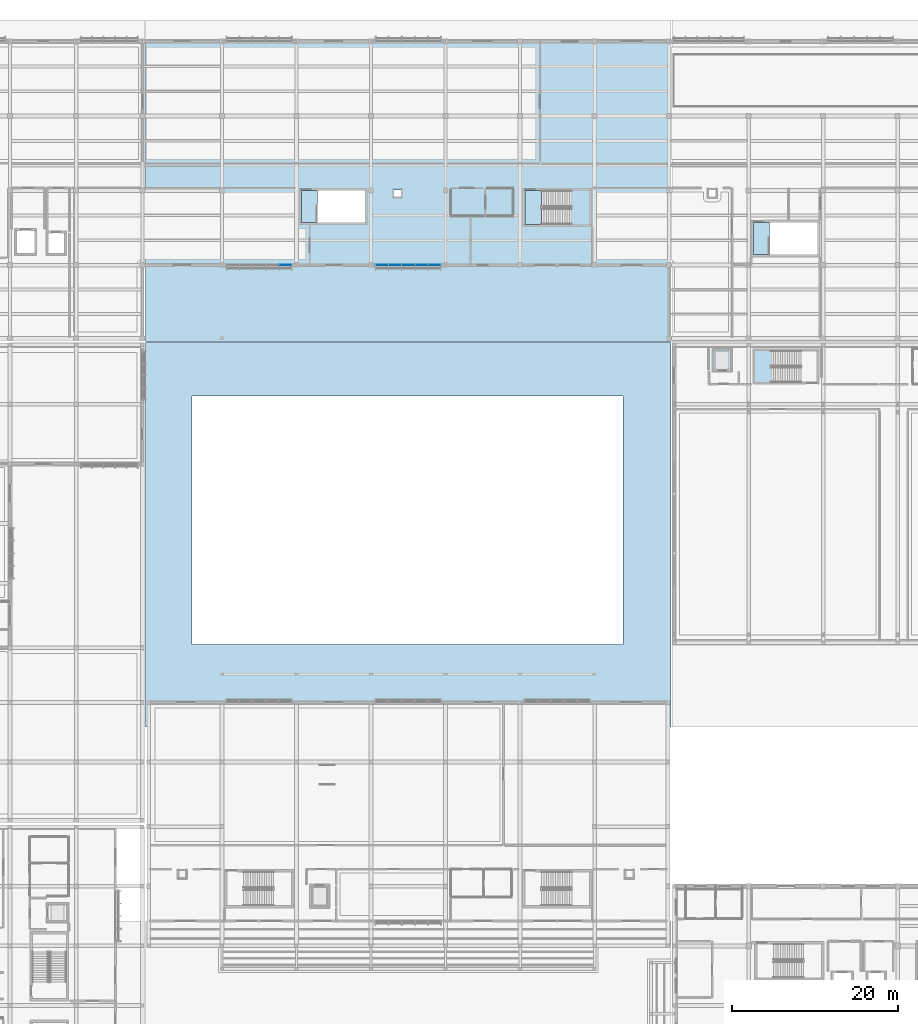
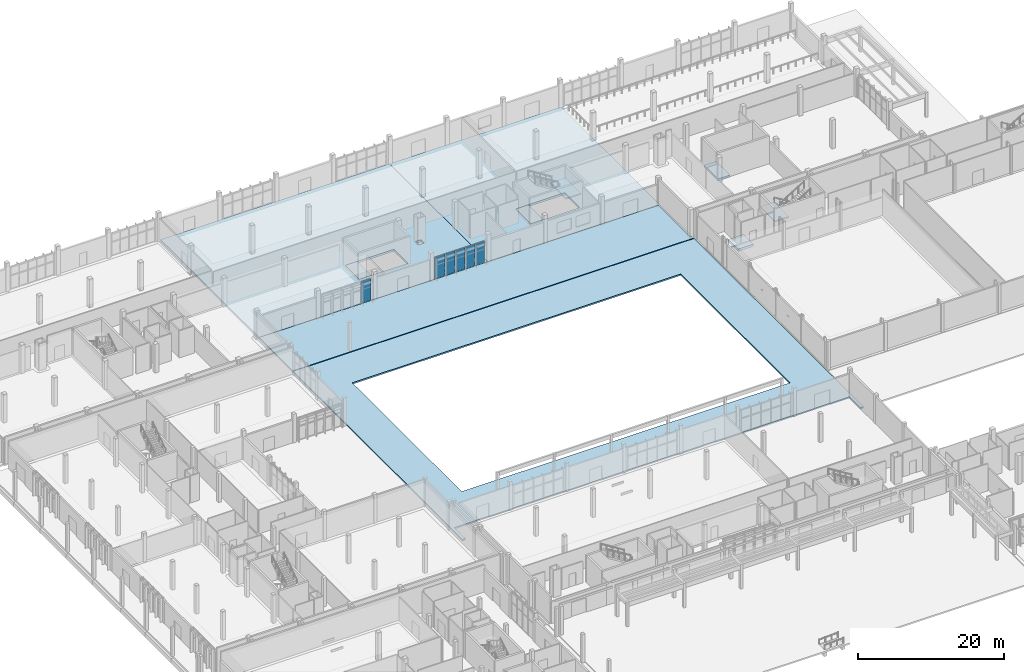
# One storey, part 109 of 151: 10 slabs, 6 plates, 4 elements without a shape of their own.
"""IFC4 building model written with IfcOpenShell, lengths in metres."""

from ifc_helpers import new_model, si_unit, direction, frame, origin, origin_2d, place, context, subcontext, project, spatial, polyline, rectangle, outline, extrude, material, layer, layer_set, type_object, element, aggregate, save


model = new_model("IFC4")

# Units and contexts
model_context = context("Model", 3, precision=1e-05, world=origin(), true_north=direction((0.0, 1.0)))
body_context = subcontext(model_context, "Body", "Model", "MODEL_VIEW")
ifc_project = project(units=[si_unit("LENGTHUNIT", "METRE"), si_unit("AREAUNIT", "SQUARE_METRE"), si_unit("VOLUMEUNIT", "CUBIC_METRE"), si_unit("PLANEANGLEUNIT", "RADIAN"), si_unit("MASSUNIT", "GRAM", prefix="KILO")], contexts=[model_context])

# Site, building, storey
site_placement = place(None, origin())
site = spatial("IfcSite", under=ifc_project, at=site_placement, CompositionType="ELEMENT")
building_placement = place(site_placement, origin())
building = spatial("IfcBuilding", under=site, at=building_placement, Name="Chiffa Square Polytechnic", CompositionType="ELEMENT")
storey_placement = place(building_placement, origin())
storey = spatial("IfcBuildingStorey", under=building, at=storey_placement, Name="L00", CompositionType="ELEMENT", Elevation=0.0)

# Curtain wall, plates
ifc_material_1 = material(Name="Aluminium EN AW-6060 T66 and glulam shading", Category="wood")
curtain_wall_type_1 = type_object("IfcCurtainWallType", Name="CW-VERT-360X380", PredefinedType="USERDEFINED", material=ifc_material_1)
curtain_wall_1_placement = place(storey_placement, origin())
curtain_wall_1 = element("IfcCurtainWall", 1, at=curtain_wall_1_placement, inside=storey, type_object=curtain_wall_type_1, Name="Curtain wall CW-V5-L00-189", ObjectType="CURTAIN WALL", PredefinedType="USERDEFINED")
ifc_material_2 = material(Name="Double glazing", Category="glass")
ifc_layer_1 = layer(ifc_material_2, 0.0439453125, Name="Double glazing")
ifc_layer_set_1 = layer_set([ifc_layer_1], Name="Double glazing")
plate_type_1 = type_object("IfcPlateType", Name="CWP-GLZ-132X114", PredefinedType="CURTAIN_PANEL", material=ifc_layer_set_1)
plate_1_placement = place(storey_placement, frame((76.943115234375, 103.800048828125, 0.04931640625), z_axis=(0.0, 0.0, 1.0), x_axis=(1.0, 0.0, 0.0)))
plate_1 = element("IfcPlate", 2, at=plate_1_placement, type_object=plate_type_1, Name="Glazed curtain panel CW-V5-L00-189-PN01", PredefinedType="CURTAIN_PANEL", context=body_context, shape_type="SweptSolid", body=[
    extrude(rectangle(XDim=1.510009765625, YDim=0.0439453125, at=origin_2d()), origin(), (0.0, 0.0, 1.0), 3.655029296875),
])
plate_2_placement = place(storey_placement, frame((78.51611328125, 103.800048828125, 0.04931640625), z_axis=(0.0, 0.0, 1.0), x_axis=(1.0, 0.0, 0.0)))
plate_2 = element("IfcPlate", 3, at=plate_2_placement, type_object=plate_type_1, Name="Glazed curtain panel CW-V5-L00-189-PN02", PredefinedType="CURTAIN_PANEL", context=body_context, shape_type="SweptSolid", body=[
    extrude(rectangle(XDim=1.531982421875, YDim=0.0439453125, at=origin_2d()), origin(), (0.0, 0.0, 1.0), 3.655029296875),
])
plate_3_placement = place(storey_placement, frame((80.10009765625, 103.800048828125, 0.04931640625), z_axis=(0.0, 0.0, 1.0), x_axis=(1.0, 0.0, 0.0)))
plate_3 = element("IfcPlate", 4, at=plate_3_placement, type_object=plate_type_1, Name="Glazed curtain panel CW-V5-L00-189-PN03", PredefinedType="CURTAIN_PANEL", context=body_context, shape_type="SweptSolid", body=[
    extrude(rectangle(XDim=1.531982421875, YDim=0.0439453125, at=origin_2d()), origin(), (0.0, 0.0, 1.0), 3.655029296875),
])
plate_4_placement = place(storey_placement, frame((81.68408203125, 103.800048828125, 0.04931640625), z_axis=(0.0, 0.0, 1.0), x_axis=(1.0, 0.0, 0.0)))
plate_4 = element("IfcPlate", 5, at=plate_4_placement, type_object=plate_type_1, Name="Glazed curtain panel CW-V5-L00-189-PN04", PredefinedType="CURTAIN_PANEL", context=body_context, shape_type="SweptSolid", body=[
    extrude(rectangle(XDim=1.531982421875, YDim=0.0439453125, at=origin_2d()), origin(), (0.0, 0.0, 1.0), 3.655029296875),
])
plate_5_placement = place(storey_placement, frame((83.257080078125, 103.800048828125, 0.04931640625), z_axis=(0.0, 0.0, 1.0), x_axis=(1.0, 0.0, 0.0)))
plate_5 = element("IfcPlate", 6, at=plate_5_placement, type_object=plate_type_1, Name="Glazed curtain panel CW-V5-L00-189-PN05", PredefinedType="CURTAIN_PANEL", context=body_context, shape_type="SweptSolid", body=[
    extrude(rectangle(XDim=1.510009765625, YDim=0.0439453125, at=origin_2d()), origin(), (0.0, 0.0, 1.0), 3.655029296875),
])
aggregate(curtain_wall_1, [plate_1, plate_2, plate_3, plate_4, plate_5])

# Curtain wall, plate
curtain_wall_type_2 = type_object("IfcCurtainWallType", Name="CW-VERT-600X380", PredefinedType="USERDEFINED", material=ifc_material_1)
curtain_wall_2_placement = place(storey_placement, origin())
curtain_wall_2 = element("IfcCurtainWall", 7, at=curtain_wall_2_placement, inside=storey, type_object=curtain_wall_type_2, Name="Curtain wall CW-V5-L00-188", ObjectType="CURTAIN WALL", PredefinedType="USERDEFINED")
ifc_layer_2 = layer(ifc_material_2, 0.0439453125, Name="Double glazing")
ifc_layer_set_2 = layer_set([ifc_layer_2], Name="Double glazing")
plate_type_2 = type_object("IfcPlateType", Name="CWP-GLZ-134X118", PredefinedType="CURTAIN_PANEL", material=ifc_layer_set_2)
plate_6_placement = place(storey_placement, frame((65.257080078125, 103.800048828125, 0.04931640625), z_axis=(0.0, 0.0, 1.0), x_axis=(1.0, 0.0, 0.0)))
plate_6 = element("IfcPlate", 8, at=plate_6_placement, type_object=plate_type_2, Name="Glazed curtain panel CW-V5-L00-188-PN05", PredefinedType="CURTAIN_PANEL", context=body_context, shape_type="SweptSolid", body=[
    extrude(rectangle(XDim=1.510009765625, YDim=0.0439453125, at=origin_2d()), origin(), (0.0, 0.0, 1.0), 3.655029296875),
])
aggregate(curtain_wall_2, [plate_6])

# Slabs
ifc_material_3 = material(Name="Limestone paving on compacted sub-base", Category="masonry")
ifc_layer_3 = layer(ifc_material_3, 0.239990234375, Name="Limestone paving on compacted sub-base")
ifc_layer_set_3 = layer_set([ifc_layer_3], Name="Limestone paving on compacted sub-base")
slab_type_1 = type_object("IfcSlabType", Name="SLB-APRON-BASE-240", PredefinedType="FLOOR", material=ifc_layer_set_3)
slab_1_placement = place(storey_placement, frame((0.0, 0.0, -0.239990234375)))
element("IfcSlab", 9, at=slab_1_placement, inside=storey, type_object=slab_type_1, Name="Courtyard perimeter cloister paving SLB-COURTYARD-FORUM-2", PredefinedType="FLOOR", context=body_context, shape_type="SweptSolid", body=[
    extrude(outline(polyline([(48.35009765625, 94.449951171875), (111.85009765625, 94.449951171875), (111.85009765625, 48.0), (111.364990234375, 48.0), (111.364990234375, 51.0), (111.361083984375, 51.010986328125), (111.35009765625, 51.014892578125), (48.85009765625, 51.014892578125), (48.839111328125, 51.010986328125), (48.8349609375, 51.0), (48.8349609375, 48.0), (48.35009765625, 48.0), (48.35009765625, 94.449951171875)]), holes=[polyline([(106.0, 88.0), (54.0, 88.0), (54.0, 58.0), (106.0, 58.0), (106.0, 88.0)])]), origin(), (0.0, 0.0, 1.0), 0.239990234375),
])
slab_2_placement = place(storey_placement, frame((0.0, 0.0, -0.239990234375)))
element("IfcSlab", 10, at=slab_2_placement, inside=storey, type_object=slab_type_1, Name="Courtyard perimeter cloister paving SLB-COURTYARD-FORUM-6", PredefinedType="FLOOR", context=body_context, shape_type="SweptSolid", body=[
    extrude(outline(polyline([(111.85009765625, 94.550048828125), (48.35009765625, 94.550048828125), (48.35009765625, 103.784912109375), (111.5849609375, 103.784912109375), (111.5849609375, 95.050048828125), (111.59912109375, 95.034912109375), (111.85009765625, 95.034912109375), (111.85009765625, 94.550048828125)])), origin(), (0.0, 0.0, 1.0), 0.239990234375),
])
ifc_material_4 = material(Name="Concrete C35/45", Category="concrete")
ifc_layer_4 = layer(ifc_material_4, 0.39990234375, Name="Concrete C35/45")
ifc_layer_set_4 = layer_set([ifc_layer_4], Name="Concrete C35/45")
slab_type_2 = type_object("IfcSlabType", Name="SLB-BASE-400", PredefinedType="BASESLAB", material=ifc_layer_set_4)
slab_3_placement = place(storey_placement, frame((0.0, 0.0, -1.800048828125)))
element("IfcSlab", 11, at=slab_3_placement, inside=storey, type_object=slab_type_2, Name="Lift pit base slab LP-V2", PredefinedType="BASESLAB", context=body_context, shape_type="SweptSolid", body=[
    extrude(outline(polyline([(116.800048828125, 90.949951171875), (119.199951171875, 90.949951171875), (119.199951171875, 93.679931640625), (116.800048828125, 93.679931640625), (116.800048828125, 90.949951171875)])), origin(), (0.0, 0.0, 1.0), 0.400146484375),
])
ifc_material_5 = material(Name="Concrete C40/50", Category="concrete")
ifc_layer_5 = layer(ifc_material_5, 0.35009765625, Name="Concrete C40/50")
ifc_layer_set_5 = layer_set([ifc_layer_5], Name="Concrete C40/50")
slab_type_3 = type_object("IfcSlabType", Name="SLB-FLR-350", PredefinedType="FLOOR", material=ifc_layer_set_5)
slab_4_placement = place(storey_placement, frame((0.0, 0.0, -0.35009765625)))
element("IfcSlab", 12, at=slab_4_placement, inside=storey, type_object=slab_type_3, Name="Stair core floor landing slab SLB-CORE-CORE-V5B-L00", PredefinedType="FLOOR", context=body_context, shape_type="SweptSolid", body=[
    extrude(outline(polyline([(94.199951171875, 108.699951171875), (96.2119140625, 108.699951171875), (96.2119140625, 112.800048828125), (94.199951171875, 112.800048828125), (94.199951171875, 108.699951171875)])), origin(), (0.0, 0.0, 1.0), 0.35009765625),
])
slab_5_placement = place(storey_placement, frame((0.0, 0.0, -0.35009765625)))
element("IfcSlab", 13, at=slab_5_placement, inside=storey, type_object=slab_type_3, Name="Stair core floor landing slab SLB-CORE-CORE-B1W-L00", PredefinedType="FLOOR", context=body_context, shape_type="SweptSolid", body=[
    extrude(outline(polyline([(67.199951171875, 108.949951171875), (69.112060546875, 108.949951171875), (69.112060546875, 112.800048828125), (67.199951171875, 112.800048828125), (67.199951171875, 108.949951171875)])), origin(), (0.0, 0.0, 1.0), 0.35009765625),
])
slab_6_placement = place(storey_placement, frame((0.0, 0.0, -0.35009765625)))
element("IfcSlab", 14, at=slab_6_placement, inside=storey, type_object=slab_type_3, Name="Stair core floor landing slab SLB-CORE-CORE-B1E-L00", PredefinedType="FLOOR", context=body_context, shape_type="SweptSolid", body=[
    extrude(outline(polyline([(121.800048828125, 105.10009765625), (123.7119140625, 105.10009765625), (123.7119140625, 108.949951171875), (121.800048828125, 108.949951171875), (121.800048828125, 105.10009765625)])), origin(), (0.0, 0.0, 1.0), 0.35009765625),
])
slab_7_placement = place(storey_placement, frame((0.0, 0.0, -0.35009765625)))
element("IfcSlab", 15, at=slab_7_placement, inside=storey, type_object=slab_type_3, Name="V5 L00 structural slab SLB-V5-L00-025", PredefinedType="FLOOR", context=body_context, shape_type="SweptSolid", body=[
    extrude(outline(polyline([(48.35009765625, 103.800048828125), (48.35009765625, 130.800048828125), (84.60009765625, 130.800048828125), (84.60009765625, 103.800048828125), (48.35009765625, 103.800048828125)]), holes=[polyline([(67.199951171875, 112.800048828125), (74.89990234375, 112.800048828125), (74.89990234375, 108.949951171875), (67.199951171875, 108.949951171875), (67.199951171875, 112.800048828125)]), polyline([(78.35009765625, 112.89990234375), (79.25, 112.89990234375), (79.25, 112.050048828125), (78.35009765625, 112.050048828125), (78.35009765625, 112.89990234375)])]), origin(), (0.0, 0.0, 1.0), 0.35009765625),
])
slab_8_placement = place(storey_placement, frame((0.0, 0.0, -0.35009765625)))
element("IfcSlab", 16, at=slab_8_placement, inside=storey, type_object=slab_type_3, Name="V5 L00 structural slab SLB-V5-L00-026", PredefinedType="FLOOR", context=body_context, shape_type="SweptSolid", body=[
    extrude(outline(polyline([(111.60009765625, 95.050048828125), (111.60009765625, 103.800048828125), (84.60009765625, 103.800048828125), (84.60009765625, 130.800048828125), (111.85009765625, 130.800048828125), (111.85009765625, 95.050048828125), (111.60009765625, 95.050048828125)]), holes=[polyline([(94.199951171875, 112.800048828125), (102.0, 112.800048828125), (102.0, 108.699951171875), (94.199951171875, 108.699951171875), (94.199951171875, 112.800048828125)])]), origin(), (0.0, 0.0, 1.0), 0.35009765625),
])

# Stair, slab
stair_type_1 = type_object("IfcStairType", Name="STAIR-STR-1850", PredefinedType="HALF_TURN_STAIR", material=ifc_material_4)
stair_1_placement = place(storey_placement, origin())
stair_1 = element("IfcStair", 17, at=stair_1_placement, inside=storey, type_object=stair_type_1, Name="L00 Enclosed exit stair ST-V2A", PredefinedType="HALF_TURN_STAIR")
ifc_layer_6 = layer(ifc_material_4, 0.199951171875, Name="Concrete C35/45")
ifc_layer_set_6 = layer_set([ifc_layer_6], Name="Concrete C35/45")
slab_type_4 = type_object("IfcSlabType", Name="SLB-LND-190", PredefinedType="LANDING", material=ifc_layer_set_6)
slab_9_placement = place(storey_placement, frame((0.0, 0.0, 2.199951171875)))
slab_9 = element("IfcSlab", 18, at=slab_9_placement, type_object=slab_type_4, Name="ST-V2A landing 1", PredefinedType="LANDING", context=body_context, shape_type="SweptSolid", body=[
    extrude(outline(polyline([(124.030029296875, 93.570068359375), (124.030029296875, 89.530029296875), (121.830078125, 89.530029296875), (121.830078125, 93.570068359375), (124.030029296875, 93.570068359375)])), origin(), (0.0, 0.0, 1.0), 0.199951171875),
])
aggregate(stair_1, [slab_9])

stair_type_2 = type_object("IfcStairType", Name="STAIR-DOG-1950", PredefinedType="HALF_TURN_STAIR", material=ifc_material_4)
stair_2_placement = place(storey_placement, origin())
stair_2 = element("IfcStair", 19, at=stair_2_placement, inside=storey, type_object=stair_type_2, Name="L00 Enclosed exit stair ST-V5B", PredefinedType="HALF_TURN_STAIR")
ifc_layer_7 = layer(ifc_material_4, 0.199951171875, Name="Concrete C35/45")
ifc_layer_set_7 = layer_set([ifc_layer_7], Name="Concrete C35/45")
slab_type_5 = type_object("IfcSlabType", Name="SLB-LND-200", PredefinedType="LANDING", material=ifc_layer_set_7)
slab_10_placement = place(storey_placement, frame((0.0, 0.0, 2.199951171875)))
slab_10 = element("IfcSlab", 20, at=slab_10_placement, type_object=slab_type_5, Name="ST-V5B landing 1", PredefinedType="LANDING", context=body_context, shape_type="SweptSolid", body=[
    extrude(outline(polyline([(99.719970703125, 108.580078125), (99.719970703125, 112.919921875), (102.1201171875, 112.919921875), (102.1201171875, 108.580078125), (99.719970703125, 108.580078125)])), origin(), (0.0, 0.0, 1.0), 0.199951171875),
])
aggregate(stair_2, [slab_10])

save(model, "model.ifc")
